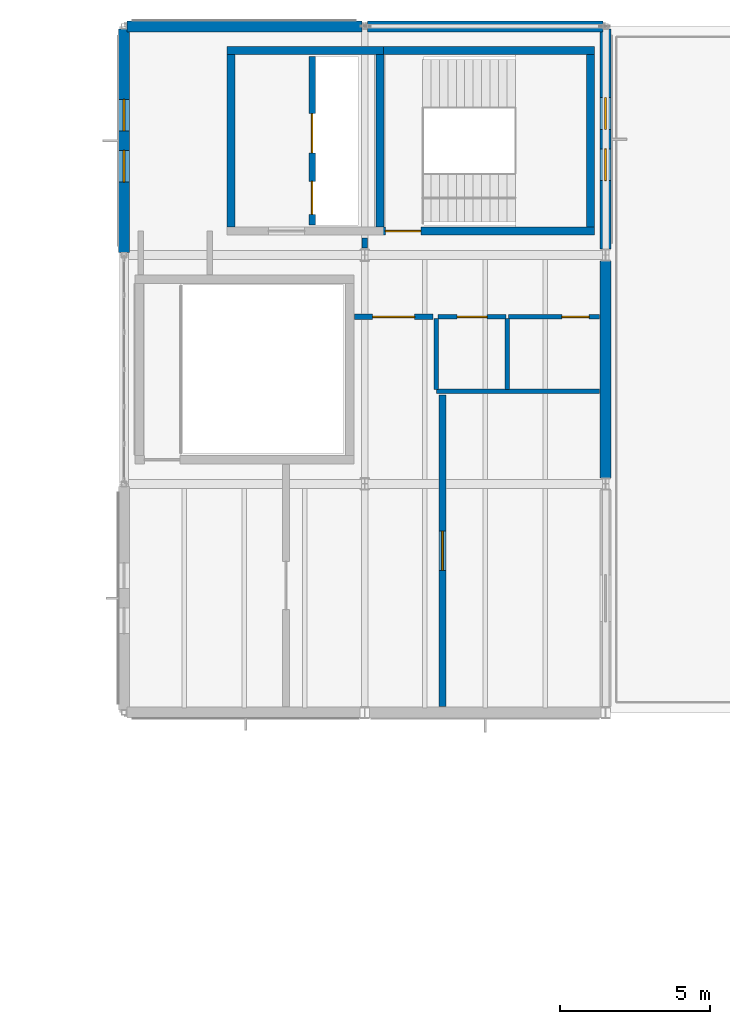
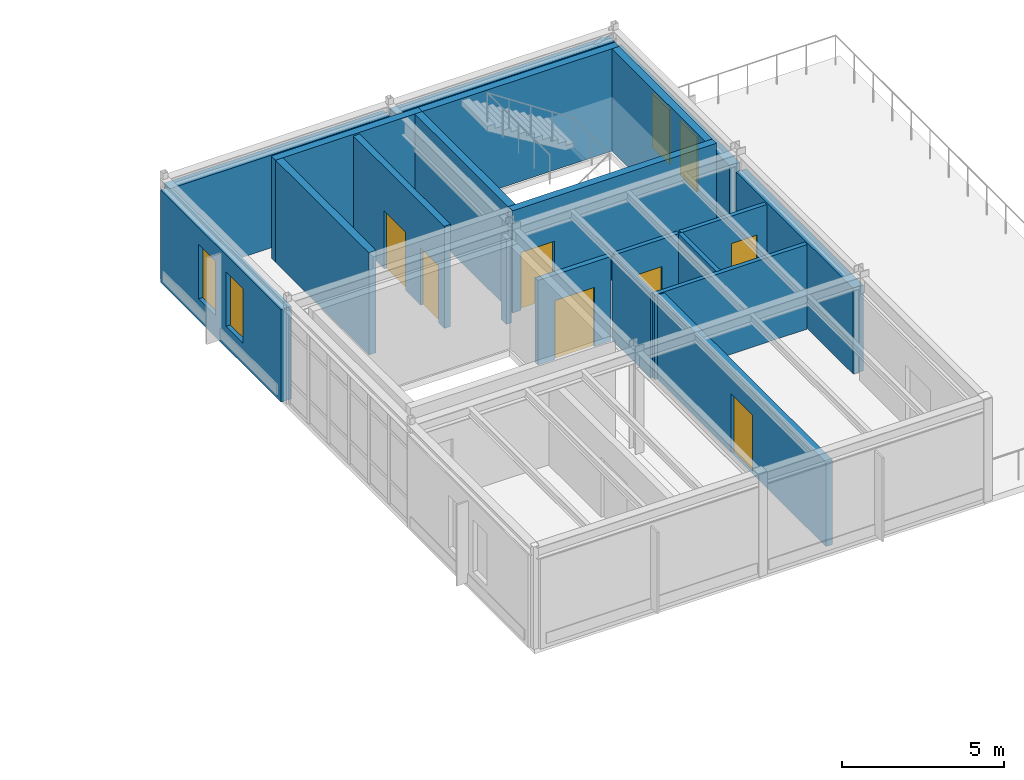
# One storey, part 55 of 65: 20 walls, 7 doors, 4 windows, 11 openings.
"""IFC4 building model written with IfcOpenShell, lengths in metres."""

from ifc_helpers import new_model, si_unit, direction, frame, frame_2d, origin, place, context, subcontext, project, spatial, rectangle, extrude, material, layer, layer_set, type_object, element, fill, save


model = new_model("IFC4")

# Units and contexts
model_context = context("Model", 3, precision=1e-05, world=origin(), true_north=direction((0.0, 1.0)))
body_context = subcontext(model_context, "Body", "Model", "MODEL_VIEW")
ifc_project = project(units=[si_unit("LENGTHUNIT", "METRE"), si_unit("AREAUNIT", "SQUARE_METRE"), si_unit("VOLUMEUNIT", "CUBIC_METRE"), si_unit("PLANEANGLEUNIT", "RADIAN"), si_unit("MASSUNIT", "GRAM", prefix="KILO")], contexts=[model_context])

# Site, building, storey
site_placement = place(None, origin())
site = spatial("IfcSite", under=ifc_project, at=site_placement, CompositionType="ELEMENT")
building_placement = place(site_placement, origin())
building = spatial("IfcBuilding", under=site, at=building_placement, Name="Montecoro Central Library", CompositionType="ELEMENT")
storey_placement = place(building_placement, frame((0.0, 0.0, 17.340087890625)))
storey = spatial("IfcBuildingStorey", under=building, at=storey_placement, Name="L04", CompositionType="ELEMENT", Elevation=17.340087890625)

# Wall
ifc_material_1 = material(Name="Roman travertine stone clad concrete C35/45", Category="masonry")
ifc_layer_1 = layer(ifc_material_1, 0.364990234375)
ifc_layer_set_1 = layer_set([ifc_layer_1], Name="Roman travertine stone clad concrete C35/45")
wall_type_1 = type_object("IfcWallType", Name="EW-STK-365", PredefinedType="SOLIDWALL", material=ifc_layer_set_1)
wall_1_placement = place(storey_placement, frame((157.0, 103.998046875, 0.0), z_axis=(0.0, 0.0, 1.0), x_axis=(0.0, 1.0, 0.0)))
element("IfcWall", 1, at=wall_1_placement, inside=storey, type_object=wall_type_1, Name="V5-L04-EW-E1", PredefinedType="SOLIDWALL", context=body_context, shape_type="SweptSolid", body=[
    extrude(rectangle(XDim=7.203857421875, YDim=0.364990234375, at=frame_2d((3.60205078125, 0.0))), origin(), (0.0, 0.0, 1.0), 3.219970703125),
])

# Wall, openings, windows
wall_2_placement = place(storey_placement, frame((157.0, 111.597900390625, 0.0), z_axis=(0.0, 0.0, 1.0), x_axis=(0.0, 1.0, 0.0)))
wall_2 = element("IfcWall", 2, at=wall_2_placement, inside=storey, type_object=wall_type_1, Name="V5-L04-EW-E2", PredefinedType="SOLIDWALL", context=body_context, shape_type="SweptSolid", body=[
    extrude(rectangle(XDim=7.30908203125, YDim=0.364990234375, at=frame_2d((3.654541015625, 0.0))), origin(), (0.0, 0.0, 1.0), 3.219970703125),
])
opening_1_placement = place(wall_2_placement, frame((2.280029296875, 0.0, 0.800048828125)))
opening_1 = element("IfcOpeningElement", 3, at=opening_1_placement, cuts=wall_2, Name="Opening WN-03", PredefinedType="OPENING", context=body_context, shape_type="SweptSolid", body=[
    extrude(rectangle(XDim=1.050048828125, YDim=2.050048828125, at=frame_2d((0.52490234375, 1.02490234375))), frame((0.0, 0.1923828125, 0.0), z_axis=(0.0, -1.0, 0.0), x_axis=(1.0, 0.0, 0.0)), (0.0, 0.0, 1.0), 0.385009765625),
])
opening_2_placement = place(wall_2_placement, frame((3.97998046875, 0.0, 0.800048828125)))
opening_2 = element("IfcOpeningElement", 4, at=opening_2_placement, cuts=wall_2, Name="Opening WN-03", PredefinedType="OPENING", context=body_context, shape_type="SweptSolid", body=[
    extrude(rectangle(XDim=1.050048828125, YDim=2.050048828125, at=frame_2d((0.52490234375, 1.02490234375))), frame((0.0, 0.1923828125, 0.0), z_axis=(0.0, -1.0, 0.0), x_axis=(1.0, 0.0, 0.0)), (0.0, 0.0, 1.0), 0.385009765625),
])
ifc_material_2 = material(Name="UV-filtered triple glazing", Category="glass")
window_type = type_object("IfcWindowType", Name="WN-STK-105", PartitioningType="SINGLE_PANEL", PredefinedType="WINDOW", material=ifc_material_2)
window_1_placement = place(opening_1_placement, origin())
window_1 = element("IfcWindow", 5, at=window_1_placement, inside=storey, type_object=window_type, Name="V5-L04-WN-E2-1", OverallHeight=2.050048828125, OverallWidth=1.050048828125, PartitioningType="SINGLE_PANEL", PredefinedType="WINDOW", context=body_context, shape_type="SweptSolid", body=[
    extrude(rectangle(XDim=1.050048828125, YDim=2.050048828125, at=frame_2d((0.52490234375, 1.02490234375))), frame((0.0, 0.030029296875, 0.0), z_axis=(0.0, -1.0, 0.0), x_axis=(1.0, 0.0, 0.0)), (0.0, 0.0, 1.0), 0.06005859375),
])
fill(opening_1, window_1)
window_2_placement = place(opening_2_placement, origin())
window_2 = element("IfcWindow", 6, at=window_2_placement, inside=storey, type_object=window_type, Name="V5-L04-WN-E2-2", OverallHeight=2.050048828125, OverallWidth=1.050048828125, PartitioningType="SINGLE_PANEL", PredefinedType="WINDOW", context=body_context, shape_type="SweptSolid", body=[
    extrude(rectangle(XDim=1.050048828125, YDim=2.050048828125, at=frame_2d((0.52490234375, 1.02490234375))), frame((0.0, 0.030029296875, 0.0), z_axis=(0.0, -1.0, 0.0), x_axis=(1.0, 0.0, 0.0)), (0.0, 0.0, 1.0), 0.06005859375),
])
fill(opening_2, window_2)

# Walls
for number, where, z_axis, x_axis, name in (
    (7, (156.906982421875, 119.0, 0.0), (0.0, 0.0, 1.0), (-1.0, 0.0, 0.0), "V5-L04-EW-N1"),
    (8, (148.906982421875, 119.0, 0.0), (0.0, 0.0, 1.0), (-1.0, 0.0, 0.0), "V5-L04-EW-N0"),
):
    element("IfcWall", number, at=place(storey_placement, frame(where, z_axis=z_axis, x_axis=x_axis)), inside=storey, type_object=wall_type_1, Name=name, PredefinedType="SOLIDWALL", context=body_context, shape_type="SweptSolid", body=[
        extrude(rectangle(XDim=7.81396484375, YDim=0.364990234375, at=frame_2d((3.906982421875, 0.0))), origin(), (0.0, 0.0, 1.0), 3.47998046875),
    ])

# Wall, openings, windows
wall_3_placement = place(storey_placement, frame((141.0, 118.906982421875, 0.0), z_axis=(0.0, 0.0, 1.0), x_axis=(0.0, -1.0, 0.0)))
wall_3 = element("IfcWall", 9, at=wall_3_placement, inside=storey, type_object=wall_type_1, Name="V5-L04-EW-W2", PredefinedType="SOLIDWALL", context=body_context, shape_type="SweptSolid", body=[
    extrude(rectangle(XDim=7.4140625, YDim=0.364990234375, at=frame_2d((3.70703125, 0.0))), origin(), (0.0, 0.0, 1.0), 3.47998046875),
])
opening_3_placement = place(wall_3_placement, frame((2.33203125, 0.0, 0.800048828125)))
opening_3 = element("IfcOpeningElement", 10, at=opening_3_placement, cuts=wall_3, Name="Opening WN-03", PredefinedType="OPENING", context=body_context, shape_type="SweptSolid", body=[
    extrude(rectangle(XDim=1.050048828125, YDim=2.050048828125, at=frame_2d((0.52490234375, 1.02490234375))), frame((0.0, 0.1923828125, 0.0), z_axis=(0.0, -1.0, 0.0), x_axis=(1.0, 0.0, 0.0)), (0.0, 0.0, 1.0), 0.385009765625),
])
opening_4_placement = place(wall_3_placement, frame((4.031982421875, 0.0, 0.800048828125)))
opening_4 = element("IfcOpeningElement", 11, at=opening_4_placement, cuts=wall_3, Name="Opening WN-03", PredefinedType="OPENING", context=body_context, shape_type="SweptSolid", body=[
    extrude(rectangle(XDim=1.050048828125, YDim=2.050048828125, at=frame_2d((0.52490234375, 1.02490234375))), frame((0.0, 0.1923828125, 0.0), z_axis=(0.0, -1.0, 0.0), x_axis=(1.0, 0.0, 0.0)), (0.0, 0.0, 1.0), 0.385009765625),
])
window_3_placement = place(opening_3_placement, origin())
window_3 = element("IfcWindow", 12, at=window_3_placement, inside=storey, type_object=window_type, Name="V5-L04-WN-W2-1", OverallHeight=2.050048828125, OverallWidth=1.050048828125, PartitioningType="SINGLE_PANEL", PredefinedType="WINDOW", context=body_context, shape_type="SweptSolid", body=[
    extrude(rectangle(XDim=1.050048828125, YDim=2.050048828125, at=frame_2d((0.52490234375, 1.02490234375))), frame((0.0, 0.030029296875, 0.0), z_axis=(0.0, -1.0, 0.0), x_axis=(1.0, 0.0, 0.0)), (0.0, 0.0, 1.0), 0.06005859375),
])
fill(opening_3, window_3)
window_4_placement = place(opening_4_placement, origin())
window_4 = element("IfcWindow", 13, at=window_4_placement, inside=storey, type_object=window_type, Name="V5-L04-WN-W2-2", OverallHeight=2.050048828125, OverallWidth=1.050048828125, PartitioningType="SINGLE_PANEL", PredefinedType="WINDOW", context=body_context, shape_type="SweptSolid", body=[
    extrude(rectangle(XDim=1.050048828125, YDim=2.050048828125, at=frame_2d((0.52490234375, 1.02490234375))), frame((0.0, 0.030029296875, 0.0), z_axis=(0.0, -1.0, 0.0), x_axis=(1.0, 0.0, 0.0)), (0.0, 0.0, 1.0), 0.06005859375),
])
fill(opening_4, window_4)

# Wall, opening, door
ifc_material_3 = material(Name="Gypsum fire-rated partition")
ifc_layer_2 = layer(ifc_material_3, 0.179931640625)
ifc_layer_set_2 = layer_set([ifc_layer_2], Name="Gypsum fire-rated partition")
wall_type_2 = type_object("IfcWallType", Name="IW-COR-180", PredefinedType="PARTITIONING", material=ifc_layer_set_2)
wall_4_placement = place(storey_placement, frame((148.659912109375, 109.35009765625, 0.0), z_axis=(0.0, 0.0, 1.0), x_axis=(1.0, 0.0, 0.0)))
wall_4 = element("IfcWall", 14, at=wall_4_placement, inside=storey, type_object=wall_type_2, Name="CORW-V5-L04-02", PredefinedType="PARTITIONING", context=body_context, shape_type="SweptSolid", body=[
    extrude(rectangle(XDim=2.60009765625, YDim=0.179931640625, at=frame_2d((1.300048828125, 0.0))), origin(), (0.0, 0.0, 1.0), 3.179931640625),
])
opening_5_placement = place(wall_4_placement, frame((0.60009765625, 0.0, 0.0)))
opening_5 = element("IfcOpeningElement", 15, at=opening_5_placement, cuts=wall_4, Name="Opening ID-08", PredefinedType="OPENING", context=body_context, shape_type="SweptSolid", body=[
    extrude(rectangle(XDim=1.39990234375, YDim=2.219970703125, at=frame_2d((0.699951171875, 1.10986328125))), frame((0.0, 0.099853515625, 0.0), z_axis=(0.0, -1.0, 0.0), x_axis=(1.0, 0.0, 0.0)), (0.0, 0.0, 1.0), 0.199951171875),
])
ifc_material_4 = material(Name="Solid oak and fire-rated steel door", Category="steel")
door_type_1 = type_object("IfcDoorType", Name="ID-RDG-140", OperationType="NOTDEFINED", PredefinedType="DOOR", material=ifc_material_4)
door_1_placement = place(opening_5_placement, origin())
door_1 = element("IfcDoor", 16, at=door_1_placement, inside=storey, type_object=door_type_1, Name="DR-SP-V5-L04-R2P1", OperationType="SINGLE_SWING_LEFT", OverallHeight=2.219970703125, OverallWidth=1.39990234375, PredefinedType="DOOR", context=body_context, shape_type="SweptSolid", body=[
    extrude(rectangle(XDim=1.39990234375, YDim=2.219970703125, at=frame_2d((0.699951171875, 1.10986328125))), frame((0.0, 0.02490234375, 0.0), z_axis=(0.0, -1.0, 0.0), x_axis=(1.0, 0.0, 0.0)), (0.0, 0.0, 1.0), 0.050048828125),
])
fill(opening_5, door_1)

# Wall
wall_5_placement = place(storey_placement, frame((149.0, 111.639892578125, 0.0), z_axis=(0.0, 0.0, 1.0), x_axis=(0.0, 1.0, 0.0)))
element("IfcWall", 17, at=wall_5_placement, inside=storey, type_object=wall_type_2, Name="PIL-V5-L04-1", PredefinedType="PARTITIONING", context=body_context, shape_type="SweptSolid", body=[
    extrude(rectangle(XDim=0.320068359375, YDim=0.179931640625, at=frame_2d((0.16015625, 0.0))), origin(), (0.0, 0.0, 1.0), 3.179931640625),
])

# Wall, openings, doors
ifc_material_5 = material(Name="Concrete C32/40", Category="concrete")
ifc_layer_3 = layer(ifc_material_5, 0.219970703125)
ifc_layer_set_3 = layer_set([ifc_layer_3], Name="Concrete C32/40")
wall_type_3 = type_object("IfcWallType", Name="IW-FFL-220", PredefinedType="SOLIDWALL", material=ifc_layer_set_3)
wall_6_placement = place(storey_placement, frame((147.25, 112.39990234375, 0.0), z_axis=(0.0, 0.0, 1.0), x_axis=(0.0, 1.0, 0.0)))
wall_6 = element("IfcWall", 18, at=wall_6_placement, inside=storey, type_object=wall_type_3, Name="C6-L04-WLSH", PredefinedType="SOLIDWALL", context=body_context, shape_type="SweptSolid", body=[
    extrude(rectangle(XDim=5.60009765625, YDim=0.219970703125, at=frame_2d((2.800048828125, 0.0))), origin(), (0.0, 0.0, 1.0), 3.844970703125),
])
opening_6_placement = place(wall_6_placement, frame((0.35009765625, 0.0, 0.0)))
opening_6 = element("IfcOpeningElement", 19, at=opening_6_placement, cuts=wall_6, Name="Opening LD-01", PredefinedType="OPENING", context=body_context, shape_type="SweptSolid", body=[
    extrude(rectangle(XDim=1.10009765625, YDim=2.14990234375, at=frame_2d((0.550048828125, 1.074951171875))), frame((0.0, 0.119873046875, 0.0), z_axis=(0.0, -1.0, 0.0), x_axis=(1.0, 0.0, 0.0)), (0.0, 0.0, 1.0), 0.239990234375),
])
opening_7_placement = place(wall_6_placement, frame((2.39990234375, 0.0, 0.0)))
opening_7 = element("IfcOpeningElement", 20, at=opening_7_placement, cuts=wall_6, Name="Opening LD-02", PredefinedType="OPENING", context=body_context, shape_type="SweptSolid", body=[
    extrude(rectangle(XDim=1.300048828125, YDim=2.179931640625, at=frame_2d((0.64990234375, 1.08984375))), frame((0.0, 0.119873046875, 0.0), z_axis=(0.0, -1.0, 0.0), x_axis=(1.0, 0.0, 0.0)), (0.0, 0.0, 1.0), 0.239990234375),
])
door_type_2 = type_object("IfcDoorType", Name="LD-LIFT-110", OperationType="NOTDEFINED", PredefinedType="DOOR", material=ifc_material_4)
door_2_placement = place(opening_6_placement, origin())
door_2 = element("IfcDoor", 21, at=door_2_placement, inside=storey, type_object=door_type_2, Name="C6-L04-LD-FFL-02", OperationType="SLIDING_TO_LEFT", OverallHeight=2.14990234375, OverallWidth=1.10009765625, PredefinedType="DOOR", context=body_context, shape_type="SweptSolid", body=[
    extrude(rectangle(XDim=1.10009765625, YDim=2.14990234375, at=frame_2d((0.550048828125, 1.074951171875))), frame((0.0, 0.02490234375, 0.0), z_axis=(0.0, -1.0, 0.0), x_axis=(1.0, 0.0, 0.0)), (0.0, 0.0, 1.0), 0.050048828125),
])
fill(opening_6, door_2)
door_type_3 = type_object("IfcDoorType", Name="LD-LIFT-130", OperationType="NOTDEFINED", PredefinedType="DOOR", material=ifc_material_4)
door_3_placement = place(opening_7_placement, origin())
door_3 = element("IfcDoor", 22, at=door_3_placement, inside=storey, type_object=door_type_3, Name="C6-L04-LD-GL-01", OperationType="SLIDING_TO_LEFT", OverallHeight=2.179931640625, OverallWidth=1.300048828125, PredefinedType="DOOR", context=body_context, shape_type="SweptSolid", body=[
    extrude(rectangle(XDim=1.300048828125, YDim=2.179931640625, at=frame_2d((0.64990234375, 1.08984375))), frame((0.0, 0.02490234375, 0.0), z_axis=(0.0, -1.0, 0.0), x_axis=(1.0, 0.0, 0.0)), (0.0, 0.0, 1.0), 0.050048828125),
])
fill(opening_7, door_3)

# Walls
ifc_material_6 = material(Name="Concrete C35/45", Category="concrete")
ifc_layer_4 = layer(ifc_material_6, 0.260009765625)
ifc_layer_set_4 = layer_set([ifc_layer_4], Name="Concrete C35/45")
wall_type_4 = type_object("IfcWallType", Name="IW-SHR-260", PredefinedType="SHEAR", material=ifc_layer_set_4)
wall_7_placement = place(storey_placement, frame((149.6298828125, 118.199951171875, 0.0), z_axis=(0.0, 0.0, 1.0), x_axis=(-1.0, 0.0, 0.0)))
element("IfcWall", 23, at=wall_7_placement, inside=storey, type_object=wall_type_4, Name="C6-L04-LWN", PredefinedType="SHEAR", context=body_context, shape_type="SweptSolid", body=[
    extrude(rectangle(XDim=5.2099609375, YDim=0.260009765625, at=frame_2d((2.60498046875, 0.0))), origin(), (0.0, 0.0, 1.0), 3.844970703125),
])
wall_8_placement = place(storey_placement, frame((144.550048828125, 118.070068359375, 0.0), z_axis=(0.0, 0.0, 1.0), x_axis=(0.0, -1.0, 0.0)))
element("IfcWall", 24, at=wall_8_placement, inside=storey, type_object=wall_type_4, Name="C6-L04-LWW", PredefinedType="SHEAR", context=body_context, shape_type="SweptSolid", body=[
    extrude(rectangle(XDim=5.739990234375, YDim=0.260009765625, at=frame_2d((2.8701171875, 0.0))), origin(), (0.0, 0.0, 1.0), 3.844970703125),
])

# Wall, opening, door
wall_9_placement = place(storey_placement, frame((149.3701171875, 112.199951171875, 0.0), z_axis=(0.0, 0.0, 1.0), x_axis=(1.0, 0.0, 0.0)))
wall_9 = element("IfcWall", 25, at=wall_9_placement, inside=storey, type_object=wall_type_4, Name="C6-L04-WS", PredefinedType="SHEAR", context=body_context, shape_type="SweptSolid", body=[
    extrude(rectangle(XDim=7.259765625, YDim=0.260009765625, at=frame_2d((3.6298828125, 0.0))), origin(), (0.0, 0.0, 1.0), 3.844970703125),
])
opening_8_placement = place(wall_9_placement, frame((0.31005859375, 0.0, 0.0)))
opening_8 = element("IfcOpeningElement", 26, at=opening_8_placement, cuts=wall_9, Name="Opening ID-02", PredefinedType="OPENING", context=body_context, shape_type="SweptSolid", body=[
    extrude(rectangle(XDim=1.179931640625, YDim=2.179931640625, at=frame_2d((0.58984375, 1.08984375))), frame((0.0, 0.139892578125, 0.0), z_axis=(0.0, -1.0, 0.0), x_axis=(1.0, 0.0, 0.0)), (0.0, 0.0, 1.0), 0.280029296875),
])
door_type_4 = type_object("IfcDoorType", Name="ID-STR-135", OperationType="NOTDEFINED", PredefinedType="DOOR", material=ifc_material_4)
door_4_placement = place(opening_8_placement, origin())
door_4 = element("IfcDoor", 27, at=door_4_placement, inside=storey, type_object=door_type_4, Name="C6-L04-DSTR", OperationType="SINGLE_SWING_RIGHT", OverallHeight=2.179931640625, OverallWidth=1.179931640625, PredefinedType="DOOR", context=body_context, shape_type="SweptSolid", body=[
    extrude(rectangle(XDim=1.179931640625, YDim=2.179931640625, at=frame_2d((0.58984375, 1.08984375))), frame((0.0, 0.02490234375, 0.0), z_axis=(0.0, -1.0, 0.0), x_axis=(1.0, 0.0, 0.0)), (0.0, 0.0, 1.0), 0.050048828125),
])
fill(opening_8, door_4)

# Walls
wall_10_placement = place(storey_placement, frame((149.3701171875, 118.199951171875, 0.0), z_axis=(0.0, 0.0, 1.0), x_axis=(1.0, 0.0, 0.0)))
element("IfcWall", 28, at=wall_10_placement, inside=storey, type_object=wall_type_4, Name="C6-L04-WN", PredefinedType="SHEAR", context=body_context, shape_type="SweptSolid", body=[
    extrude(rectangle(XDim=7.259765625, YDim=0.260009765625, at=frame_2d((3.6298828125, 0.0))), origin(), (0.0, 0.0, 1.0), 3.844970703125),
])
for number, where, z_axis, x_axis, name in (
    (29, (149.5, 112.330078125, 0.0), (0.0, 0.0, 1.0), (0.0, 1.0, 0.0), "C6-L04-WW"),
    (30, (156.5, 112.330078125, 0.0), (0.0, 0.0, 1.0), (0.0, 1.0, 0.0), "C6-L04-WE"),
):
    element("IfcWall", number, at=place(storey_placement, frame(where, z_axis=z_axis, x_axis=x_axis)), inside=storey, type_object=wall_type_4, Name=name, PredefinedType="SHEAR", context=body_context, shape_type="SweptSolid", body=[
        extrude(rectangle(XDim=5.739990234375, YDim=0.260009765625, at=frame_2d((2.8701171875, 0.0))), origin(), (0.0, 0.0, 1.0), 3.844970703125),
    ])

# Wall, opening, door
ifc_layer_5 = layer(ifc_material_5, 0.239990234375)
ifc_layer_set_5 = layer_set([ifc_layer_5], Name="Concrete C32/40")
wall_type_5 = type_object("IfcWallType", Name="IW-VLT-240", PredefinedType="SOLIDWALL", material=ifc_layer_set_5)
wall_11_placement = place(storey_placement, frame((151.580078125, 96.39990234375, 0.0), z_axis=(0.0, 0.0, 1.0), x_axis=(0.0, 1.0, 0.0)))
wall_11 = element("IfcWall", 31, at=wall_11_placement, inside=storey, type_object=wall_type_5, Name="Archival Vault Enclosure Wall", PredefinedType="SOLIDWALL", context=body_context, shape_type="SweptSolid", body=[
    extrude(rectangle(XDim=10.35009765625, YDim=0.239990234375, at=frame_2d((5.175048828125, 0.0))), origin(), (0.0, 0.0, 1.0), 3.179931640625),
])
opening_9_placement = place(wall_11_placement, frame((4.52490234375, 0.0, 0.0)))
opening_9 = element("IfcOpeningElement", 32, at=opening_9_placement, cuts=wall_11, Name="Opening ID-04", PredefinedType="OPENING", context=body_context, shape_type="SweptSolid", body=[
    extrude(rectangle(XDim=1.300048828125, YDim=2.199951171875, at=frame_2d((0.64990234375, 1.10009765625))), frame((0.0, 0.1298828125, 0.0), z_axis=(0.0, -1.0, 0.0), x_axis=(1.0, 0.0, 0.0)), (0.0, 0.0, 1.0), 0.260009765625),
])
door_type_5 = type_object("IfcDoorType", Name="ID-VLT-130", OperationType="NOTDEFINED", PredefinedType="DOOR", material=ifc_material_4)
door_5_placement = place(opening_9_placement, origin())
door_5 = element("IfcDoor", 33, at=door_5_placement, inside=storey, type_object=door_type_5, Name="DR-SP-V5-L04-R3P1", OperationType="SINGLE_SWING_RIGHT", OverallHeight=2.199951171875, OverallWidth=1.300048828125, PredefinedType="DOOR", context=body_context, shape_type="SweptSolid", body=[
    extrude(rectangle(XDim=1.300048828125, YDim=2.199951171875, at=frame_2d((0.64990234375, 1.10009765625))), frame((0.0, 0.02490234375, 0.0), z_axis=(0.0, -1.0, 0.0), x_axis=(1.0, 0.0, 0.0)), (0.0, 0.0, 1.0), 0.050048828125),
])
fill(opening_9, door_5)

# Walls
ifc_material_7 = material(Name="Moisture-resistant ceramic-tiled partition")
ifc_layer_6 = layer(ifc_material_7, 0.14990234375)
ifc_layer_set_6 = layer_set([ifc_layer_6], Name="Moisture-resistant ceramic-tiled partition")
wall_type_6 = type_object("IfcWallType", Name="IW-WET-150", PredefinedType="PARTITIONING", material=ifc_layer_set_6)
wall_12_placement = place(storey_placement, frame((151.3798828125, 106.8701171875, 0.0), z_axis=(0.0, 0.0, 1.0), x_axis=(1.0, 0.0, 0.0)))
element("IfcWall", 34, at=wall_12_placement, inside=storey, type_object=wall_type_6, Name="WC-V5-L04-WBK", PredefinedType="PARTITIONING", context=body_context, shape_type="SweptSolid", body=[
    extrude(rectangle(XDim=5.420166015625, YDim=0.14990234375, at=frame_2d((2.7099609375, 0.0))), origin(), (0.0, 0.0, 1.0), 3.179931640625),
])
for number, where, z_axis, x_axis, name in (
    (35, (151.3798828125, 106.929931640625, 0.0), (0.0, 0.0, 1.0), (0.0, 1.0, 0.0), "WC-V5-L04-WW"),
    (36, (153.72998046875, 106.929931640625, 0.0), (0.0, 0.0, 1.0), (0.0, 1.0, 0.0), "WC-V5-L04-WM"),
):
    element("IfcWall", number, at=place(storey_placement, frame(where, z_axis=z_axis, x_axis=x_axis)), inside=storey, type_object=wall_type_6, Name=name, PredefinedType="PARTITIONING", context=body_context, shape_type="SweptSolid", body=[
        extrude(rectangle(XDim=2.360107421875, YDim=0.14990234375, at=frame_2d((1.18017578125, 0.0))), origin(), (0.0, 0.0, 1.0), 3.179931640625),
    ])

# Wall, opening, door
wall_13_placement = place(storey_placement, frame((151.43994140625, 109.35009765625, 0.0), z_axis=(0.0, 0.0, 1.0), x_axis=(1.0, 0.0, 0.0)))
wall_13 = element("IfcWall", 37, at=wall_13_placement, inside=storey, type_object=wall_type_6, Name="WC-V5-L04-WFA", PredefinedType="PARTITIONING", context=body_context, shape_type="SweptSolid", body=[
    extrude(rectangle(XDim=2.25, YDim=0.14990234375, at=frame_2d((1.125, 0.0))), origin(), (0.0, 0.0, 1.0), 3.179931640625),
])
opening_10_placement = place(wall_13_placement, frame((0.625, 0.0, 0.0)))
opening_10 = element("IfcOpeningElement", 38, at=opening_10_placement, cuts=wall_13, Name="Opening ID-15", PredefinedType="OPENING", context=body_context, shape_type="SweptSolid", body=[
    extrude(rectangle(XDim=1.0, YDim=2.14990234375, at=frame_2d((0.5, 1.074951171875))), frame((0.0, 0.0849609375, 0.0), z_axis=(0.0, -1.0, 0.0), x_axis=(1.0, 0.0, 0.0)), (0.0, 0.0, 1.0), 0.169921875),
])
door_type_6 = type_object("IfcDoorType", Name="ID-AWC-100", OperationType="NOTDEFINED", PredefinedType="DOOR", material=ifc_material_4)
door_6_placement = place(opening_10_placement, origin())
door_6 = element("IfcDoor", 39, at=door_6_placement, inside=storey, type_object=door_type_6, Name="DR-SP-V5-L04-AWC", OperationType="SINGLE_SWING_LEFT", OverallHeight=2.14990234375, OverallWidth=1.0, PredefinedType="DOOR", context=body_context, shape_type="SweptSolid", body=[
    extrude(rectangle(XDim=1.0, YDim=2.14990234375, at=frame_2d((0.5, 1.074951171875))), frame((0.0, 0.02490234375, 0.0), z_axis=(0.0, -1.0, 0.0), x_axis=(1.0, 0.0, 0.0)), (0.0, 0.0, 1.0), 0.050048828125),
])
fill(opening_10, door_6)

wall_14_placement = place(storey_placement, frame((153.77001953125, 109.35009765625, 0.0), z_axis=(0.0, 0.0, 1.0), x_axis=(1.0, 0.0, 0.0)))
wall_14 = element("IfcWall", 40, at=wall_14_placement, inside=storey, type_object=wall_type_6, Name="WC-V5-L04-WFP", PredefinedType="PARTITIONING", context=body_context, shape_type="SweptSolid", body=[
    extrude(rectangle(XDim=3.030029296875, YDim=0.14990234375, at=frame_2d((1.51513671875, 0.0))), origin(), (0.0, 0.0, 1.0), 3.179931640625),
])
opening_11_placement = place(wall_14_placement, frame((1.780029296875, 0.0, 0.0)))
opening_11 = element("IfcOpeningElement", 41, at=opening_11_placement, cuts=wall_14, Name="Opening ID-16", PredefinedType="OPENING", context=body_context, shape_type="SweptSolid", body=[
    extrude(rectangle(XDim=0.89990234375, YDim=2.14990234375, at=frame_2d((0.449951171875, 1.074951171875))), frame((0.0, 0.0849609375, 0.0), z_axis=(0.0, -1.0, 0.0), x_axis=(1.0, 0.0, 0.0)), (0.0, 0.0, 1.0), 0.169921875),
])
door_type_7 = type_object("IfcDoorType", Name="ID-WC-090", OperationType="NOTDEFINED", PredefinedType="DOOR", material=ifc_material_4)
door_7_placement = place(opening_11_placement, origin())
door_7 = element("IfcDoor", 42, at=door_7_placement, inside=storey, type_object=door_type_7, Name="DR-SP-V5-L04-PWC", OperationType="SINGLE_SWING_RIGHT", OverallHeight=2.14990234375, OverallWidth=0.89990234375, PredefinedType="DOOR", context=body_context, shape_type="SweptSolid", body=[
    extrude(rectangle(XDim=0.89990234375, YDim=2.14990234375, at=frame_2d((0.449951171875, 1.074951171875))), frame((0.0, 0.02490234375, 0.0), z_axis=(0.0, -1.0, 0.0), x_axis=(1.0, 0.0, 0.0)), (0.0, 0.0, 1.0), 0.050048828125),
])
fill(opening_11, door_7)

save(model, "model.ifc")
